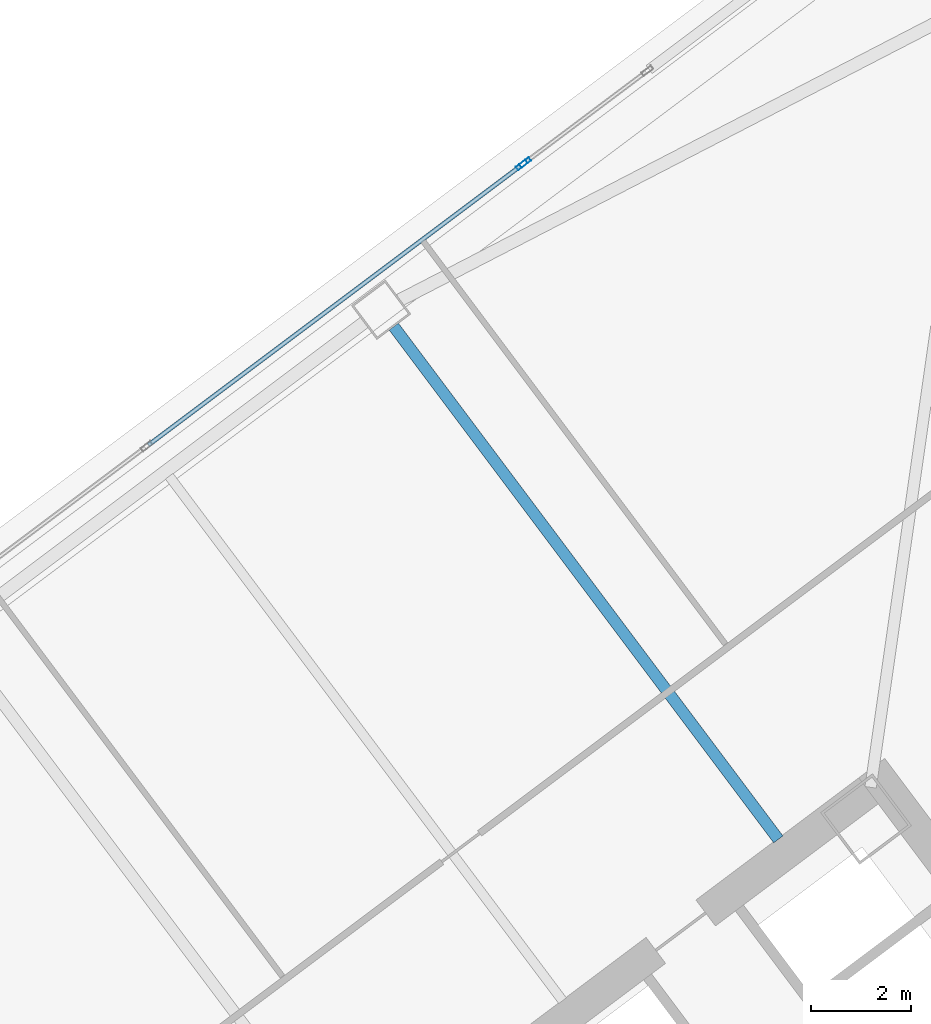
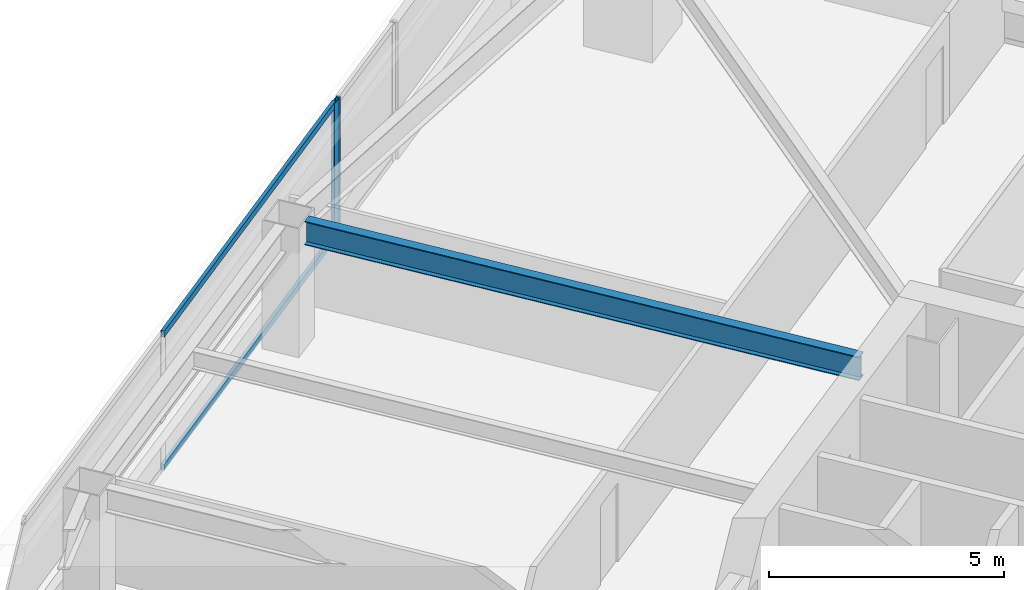
# One storey, part 30 of 48: 4 members, 1 beam, 2 elements without a shape of their own.
"""IFC4 building model written with IfcOpenShell, lengths in metres."""

from ifc_helpers import new_model, si_unit, direction, frame, origin, origin_2d, place, context, subcontext, project, spatial, hollow_rectangle, i_section, extrude, material, material_profile, profile_set, type_object, element, aggregate, save


model = new_model("IFC4")

# Units and contexts
model_context = context("Model", 3, precision=1e-05, world=origin(), true_north=direction((0.0, 1.0)))
body_context = subcontext(model_context, "Body", "Model", "MODEL_VIEW")
ifc_project = project(units=[si_unit("LENGTHUNIT", "METRE"), si_unit("AREAUNIT", "SQUARE_METRE"), si_unit("VOLUMEUNIT", "CUBIC_METRE"), si_unit("PLANEANGLEUNIT", "RADIAN"), si_unit("MASSUNIT", "GRAM", prefix="KILO")], contexts=[model_context])

# Site, building, storey
site_placement = place(None, origin())
site = spatial("IfcSite", under=ifc_project, at=site_placement, CompositionType="ELEMENT")
building_placement = place(site_placement, origin())
building = spatial("IfcBuilding", under=site, at=building_placement, Name="Tashvorn Skyway Center", CompositionType="ELEMENT")
storey_placement = place(building_placement, frame((0.0, 0.0, 56.550048828125)))
storey = spatial("IfcBuildingStorey", under=building, at=storey_placement, Name="L14", CompositionType="ELEMENT", Elevation=56.550048828125)

# Beam
ifc_material_1 = material(Name="Steel ASTM A992 Grade 50", Category="steel")
ifc_material_profile_1 = material_profile(ifc_material_1, i_section(OverallWidth=0.22998046875, OverallDepth=0.616943359375, WebThickness=0.01318359375, FlangeThickness=0.022216796875, at=origin_2d()), Name="W24X94")
ifc_profile_set_1 = profile_set([ifc_material_profile_1], Name="Steel ASTM A992 Grade 50")
beam_type = type_object("IfcBeamType", Name="BM-BEAM-W24X94", PredefinedType="BEAM", material=ifc_profile_set_1)
beam_placement = place(storey_placement, frame((105.94189453125, 51.743896484375, 3.04150390625), z_axis=(0.600018239213, -0.799986320265, 0.0), x_axis=(0.799986320265, 0.600018239213, 0.0)))
element("IfcBeam", 1, at=beam_placement, inside=storey, type_object=beam_type, Name="Tower 2 L14 Primary Floor Girder FC-N1", PredefinedType="BEAM", context=body_context, shape_type="SweptSolid", body=[
    extrude(i_section(OverallWidth=0.22998046875, OverallDepth=0.616943359375, WebThickness=0.01318359375, FlangeThickness=0.022216796875, at=origin_2d()), origin(), (0.0, 0.0, 1.0), 12.849853515625),
])

# Curtain wall, member
ifc_material_2 = material(Name="Thermally broken bronze-anodized aluminium 6063-T6", Category="aluminium")
curtain_wall_type = type_object("IfcCurtainWallType", Name="CW-CW-Z1", PredefinedType="NOTDEFINED", material=ifc_material_2)
curtain_wall_1_placement = place(storey_placement, origin())
curtain_wall_1 = element("IfcCurtainWall", 2, at=curtain_wall_1_placement, inside=storey, type_object=curtain_wall_type, Name="Tower 2 L14 North Unitised Curtain Wall Glazing Group 2", PredefinedType="NOTDEFINED")
ifc_material_profile_2 = material_profile(ifc_material_2, hollow_rectangle(XDim=0.0849609375, YDim=0.239990234375, WallThickness=0.0048828125, at=origin_2d()), Name="ALU-MULL-85x240")
ifc_profile_set_2 = profile_set([ifc_material_profile_2], Name="Thermally broken bronze-anodized aluminium 6063-T6")
member_type_1 = type_object("IfcMemberType", Name="CWM-CW-Z1", PredefinedType="MULLION", material=ifc_profile_set_2)
member_1_placement = place(storey_placement, frame((108.510009765625, 54.982421875, 0.0), z_axis=(0.0, 0.0, 1.0), x_axis=(-0.600000000002, 0.799999999998, 0.0)))
member_1 = element("IfcMember", 3, at=member_1_placement, type_object=member_type_1, Name="CW-Z1 mullion 3", PredefinedType="MULLION", context=body_context, shape_type="SweptSolid", body=[
    extrude(hollow_rectangle(XDim=0.0849609375, YDim=0.239990234375, WallThickness=0.0048828125, at=origin_2d()), origin(), (0.0, 0.0, 1.0), 3.550048828125),
])

curtain_wall_2_placement = place(storey_placement, origin())
curtain_wall_2 = element("IfcCurtainWall", 4, at=curtain_wall_2_placement, inside=storey, type_object=curtain_wall_type, Name="Tower 2 L14 North Unitised Curtain Wall Glazing Group 3", PredefinedType="NOTDEFINED")
member_2_placement = place(storey_placement, frame((108.577880859375, 55.033447265625, 0.0), z_axis=(0.0, 0.0, 1.0), x_axis=(-0.600005084776, 0.799996186392, 0.0)))
member_2 = element("IfcMember", 5, at=member_2_placement, type_object=member_type_1, Name="CW-Z1 mullion 1", PredefinedType="MULLION", context=body_context, shape_type="SweptSolid", body=[
    extrude(hollow_rectangle(XDim=0.0849609375, YDim=0.239990234375, WallThickness=0.0048828125, at=origin_2d()), origin(), (0.0, 0.0, 1.0), 3.550048828125),
])
aggregate(curtain_wall_2, [member_2])

# Member
ifc_material_profile_3 = material_profile(ifc_material_2, hollow_rectangle(XDim=0.0849609375, YDim=0.1650390625, WallThickness=0.0048828125, at=origin_2d()), Name="ALU-TRAN-85x165")
ifc_profile_set_3 = profile_set([ifc_material_profile_3], Name="Thermally broken bronze-anodized aluminium 6063-T6")
member_type_2 = type_object("IfcMemberType", Name="CWT-CW-Z1", PredefinedType="USERDEFINED", material=ifc_profile_set_3)
member_3_placement = place(storey_placement, frame((101.02587890625, 49.369384765625, 0.04248046875), z_axis=(0.8, 0.6, 0.0), x_axis=(-0.6, 0.8, 0.0)))
member_3 = element("IfcMember", 6, at=member_3_placement, type_object=member_type_2, Name="CW-Z1 transom 2.1", ObjectType="TRANSOM", PredefinedType="USERDEFINED", context=body_context, shape_type="SweptSolid", body=[
    extrude(hollow_rectangle(XDim=0.0849609375, YDim=0.1650390625, WallThickness=0.0048828125, at=origin_2d()), origin(), (0.0, 0.0, 1.0), 9.312744140625),
])

member_4_placement = place(storey_placement, frame((101.02587890625, 49.369384765625, 3.507568359375), z_axis=(0.8, 0.6, 0.0), x_axis=(-0.6, 0.8, 0.0)))
member_4 = element("IfcMember", 7, at=member_4_placement, type_object=member_type_2, Name="CW-Z1 transom 2.2", ObjectType="TRANSOM", PredefinedType="USERDEFINED", context=body_context, shape_type="SweptSolid", body=[
    extrude(hollow_rectangle(XDim=0.0849609375, YDim=0.1650390625, WallThickness=0.0048828125, at=origin_2d()), origin(), (0.0, 0.0, 1.0), 9.312744140625),
])

aggregate(curtain_wall_1, [member_1, member_3, member_4])

save(model, "model.ifc")
